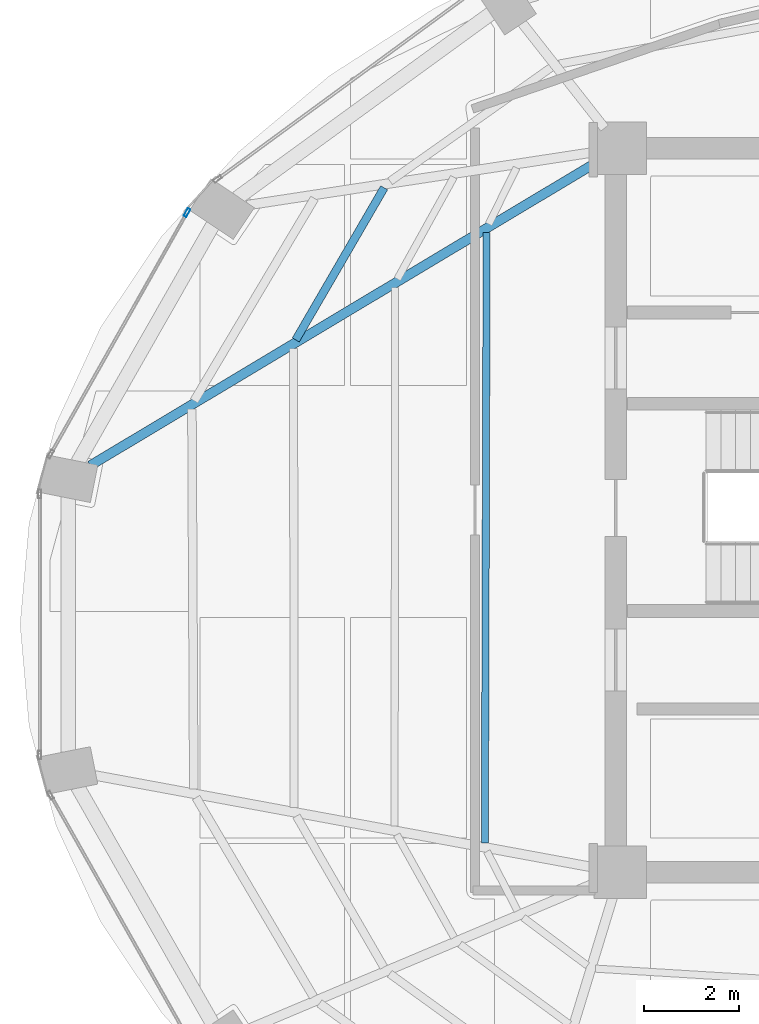
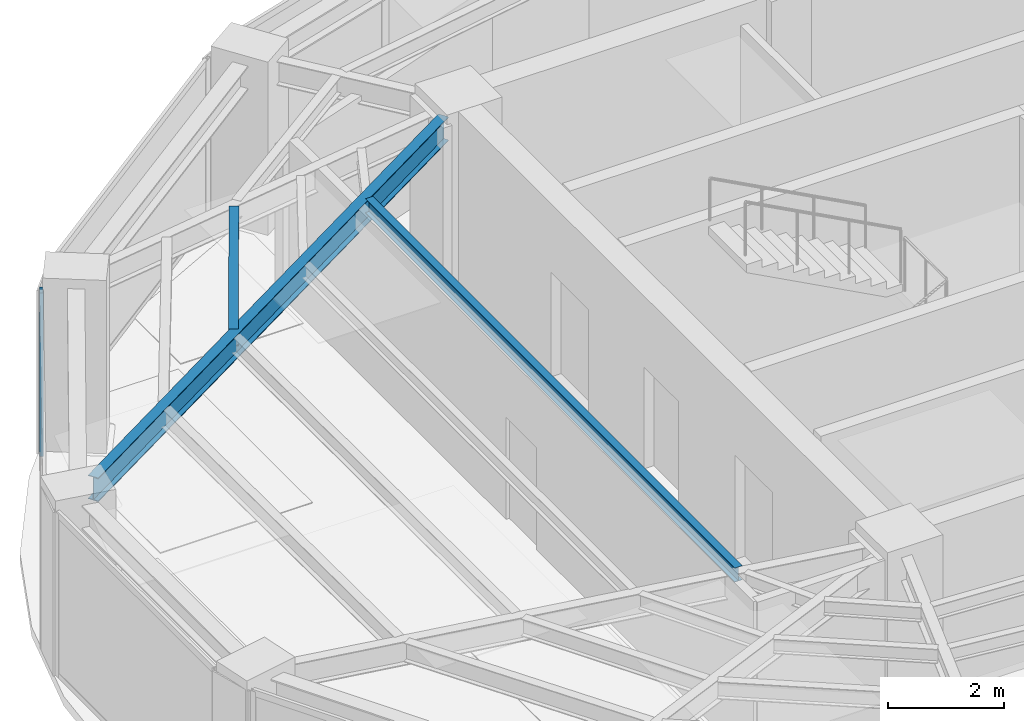
# One storey, part 9 of 22: 3 beams, 1 member, 1 element without a shape of its own.
"""IFC4 building model written with IfcOpenShell, lengths in metres."""

from ifc_helpers import new_model, si_unit, direction, frame, origin, origin_2d, place, context, subcontext, project, spatial, hollow_rectangle, i_section, extrude, material, layer, layer_set, material_profile, profile_set, type_object, element, aggregate, save


model = new_model("IFC4")

# Units and contexts
model_context = context("Model", 3, precision=1e-05, world=origin(), true_north=direction((0.0, 1.0)))
body_context = subcontext(model_context, "Body", "Model", "MODEL_VIEW")
ifc_project = project(units=[si_unit("LENGTHUNIT", "METRE"), si_unit("AREAUNIT", "SQUARE_METRE"), si_unit("VOLUMEUNIT", "CUBIC_METRE"), si_unit("PLANEANGLEUNIT", "RADIAN"), si_unit("MASSUNIT", "GRAM", prefix="KILO")], contexts=[model_context])

# Site, building, storey
site_placement = place(None, origin())
site = spatial("IfcSite", under=ifc_project, at=site_placement, CompositionType="ELEMENT")
building_placement = place(site_placement, origin())
building = spatial("IfcBuilding", under=site, at=building_placement, Name="Lazwardi Medical Tower", CompositionType="ELEMENT")
storey_placement = place(building_placement, frame((0.0, 0.0, 251.3759765625)))
storey = spatial("IfcBuildingStorey", under=building, at=storey_placement, Name="L65", CompositionType="ELEMENT", Elevation=251.3759765625)

# Beams
ifc_material_1 = material(Name="Steel S355", Category="steel")
ifc_material_profile_1 = material_profile(ifc_material_1, i_section(OverallWidth=0.199951171875, OverallDepth=0.5, WebThickness=0.01025390625, FlangeThickness=0.01611328125, at=origin_2d()), Name="IPE 500")
ifc_profile_set_1 = profile_set([ifc_material_profile_1], Name="Steel S355")
beam_type_1 = type_object("IfcBeamType", Name="BM-RG-W3", PredefinedType="BEAM", material=ifc_profile_set_1)
beam_1_placement = place(storey_placement, frame((15.27392578125, 28.937744140625, 3.197998046875), z_axis=(0.857944804603, 0.513741873176, 0.0), x_axis=(-0.513741873176, 0.857944804603, 0.0)))
element("IfcBeam", 1, at=beam_1_placement, inside=storey, type_object=beam_type_1, Name="Radial girder RG-04 R12 L65", PredefinedType="BEAM", context=body_context, shape_type="SweptSolid", body=[
    extrude(i_section(OverallWidth=0.199951171875, OverallDepth=0.5, WebThickness=0.01025390625, FlangeThickness=0.01611328125, at=origin_2d()), origin(), (0.0, 0.0, 1.0), 12.43310546875),
])
ifc_material_profile_2 = material_profile(ifc_material_1, i_section(OverallWidth=0.169921875, OverallDepth=0.360107421875, WebThickness=0.008056640625, FlangeThickness=0.0126953125, at=origin_2d()), Name="IPE 360")
ifc_profile_set_2 = profile_set([ifc_material_profile_2], Name="Steel S355")
beam_type_2 = type_object("IfcBeamType", Name="BM-SJ-02", PredefinedType="JOIST", material=ifc_profile_set_2)
beam_2_placement = place(storey_placement, frame((21.4423828125, 34.767578125, 3.26806640625), z_axis=(-0.50218018565, -0.864763008657, 0.0), x_axis=(0.864763008657, -0.50218018565, 0.0)))
element("IfcBeam", 2, at=beam_2_placement, inside=storey, type_object=beam_type_2, Name="Secondary joist SJ-02 R2 B11 L65", PredefinedType="JOIST", context=body_context, shape_type="SweptSolid", body=[
    extrude(i_section(OverallWidth=0.169921875, OverallDepth=0.360107421875, WebThickness=0.008056640625, FlangeThickness=0.0126953125, at=origin_2d()), origin(), (0.0, 0.0, 1.0), 3.69189453125),
])
ifc_material_profile_3 = material_profile(ifc_material_1, i_section(OverallWidth=0.14990234375, OverallDepth=0.300048828125, WebThickness=0.007080078125, FlangeThickness=0.0107421875, at=origin_2d()), Name="IPE 300")
ifc_profile_set_3 = profile_set([ifc_material_profile_3], Name="Steel S355")
beam_type_3 = type_object("IfcBeamType", Name="BM-SJ-03", PredefinedType="JOIST", material=ifc_profile_set_3)
beam_3_placement = place(storey_placement, frame((23.593994140625, 33.824951171875, 3.298095703125), z_axis=(-0.002897930673, -0.99999580099, 0.0), x_axis=(0.99999580099, -0.002897930673, 0.0)))
element("IfcBeam", 3, at=beam_3_placement, inside=storey, type_object=beam_type_3, Name="Secondary joist SJ-03 R4 B12 L65", PredefinedType="JOIST", context=body_context, shape_type="SweptSolid", body=[
    extrude(i_section(OverallWidth=0.14990234375, OverallDepth=0.300048828125, WebThickness=0.007080078125, FlangeThickness=0.0107421875, at=origin_2d()), origin(), (0.0, 0.0, 1.0), 12.805419921875),
])

# Curtain wall, member
ifc_material_2 = material(Name="Anodised bronze aluminium and solar control glazing", Category="aluminium")
ifc_layer = layer(ifc_material_2, 0.18994140625)
ifc_layer_set = layer_set([ifc_layer], Name="Anodised bronze aluminium and solar control glazing")
curtain_wall_type = type_object("IfcCurtainWallType", Name="CW-SYS-04", PredefinedType="NOTDEFINED", material=ifc_layer_set)
curtain_wall_placement = place(storey_placement, origin())
curtain_wall = element("IfcCurtainWall", 4, at=curtain_wall_placement, inside=storey, type_object=curtain_wall_type, Name="L65 Unitised bronze curtain wall CW-04", PredefinedType="NOTDEFINED")
ifc_material_3 = material(Name="Anodised bronze aluminium", Category="aluminium")
ifc_material_profile_4 = material_profile(ifc_material_3, hollow_rectangle(XDim=0.06494140625, YDim=0.179931640625, WallThickness=0.00390625, at=origin_2d()), Name="ALU-MULLION 180x65x4")
ifc_profile_set_4 = profile_set([ifc_material_profile_4], Name="Anodised bronze aluminium")
member_type = type_object("IfcMemberType", Name="CW-MUL-03", PredefinedType="MULLION", material=ifc_profile_set_4)
member_placement = place(storey_placement, frame((17.3056640625, 34.24560546875, 0.0), z_axis=(0.0, 0.0, 1.0), x_axis=(0.870651436011, -0.491900474661, 0.0)))
member = element("IfcMember", 5, at=member_placement, type_object=member_type, Name="CW-04 mullion 1", PredefinedType="MULLION", context=body_context, shape_type="SweptSolid", body=[
    extrude(hollow_rectangle(XDim=0.06494140625, YDim=0.179931640625, WallThickness=0.00390625, at=origin_2d()), origin(), (0.0, 0.0, 1.0), 3.447998046875),
])
aggregate(curtain_wall, [member])

save(model, "model.ifc")
